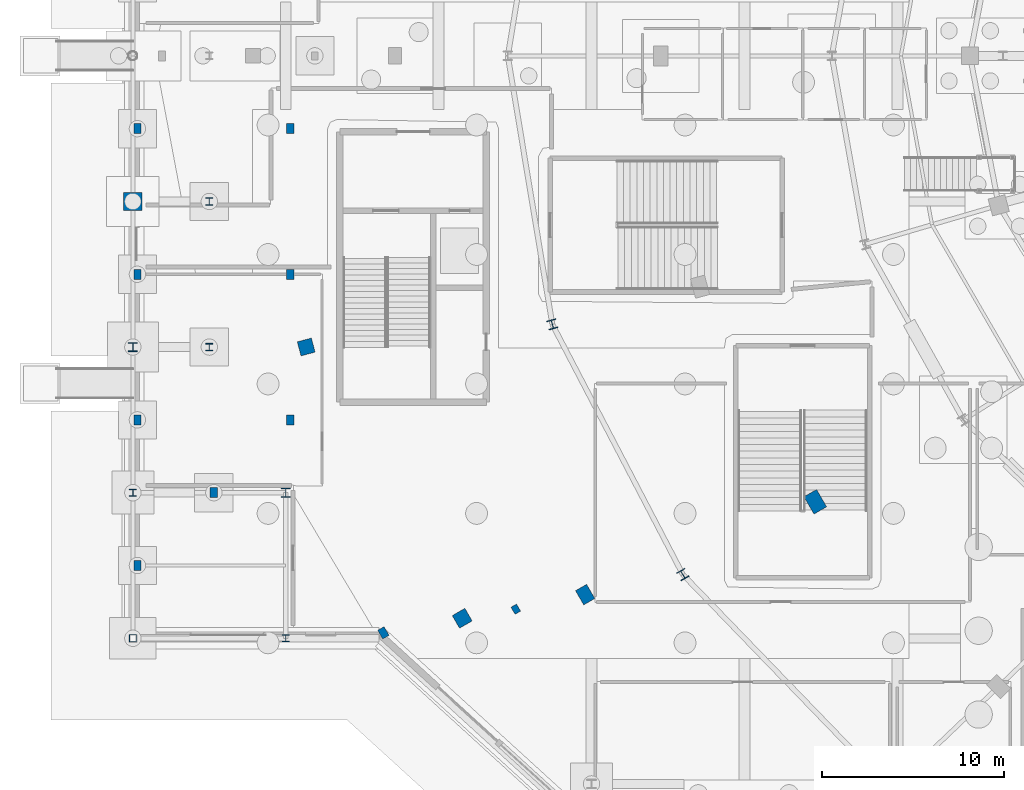
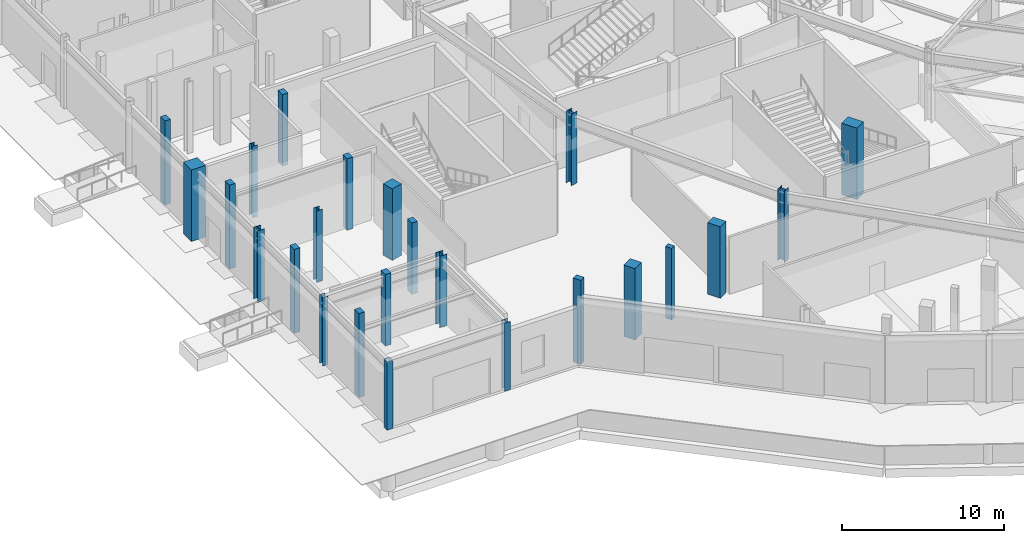
# One storey, part 11 of 93: 24 columns.
"""IFC4 building model written with IfcOpenShell, lengths in metres."""

from ifc_helpers import new_model, si_unit, direction, frame, origin, origin_2d, place, context, subcontext, project, spatial, rectangle, hollow_rectangle, i_section, extrude, material, material_profile, profile_set, type_object, element, save


model = new_model("IFC4")

# Units and contexts
model_context = context("Model", 3, precision=1e-05, world=origin(), true_north=direction((0.0, 1.0)))
body_context = subcontext(model_context, "Body", "Model", "MODEL_VIEW")
ifc_project = project(units=[si_unit("LENGTHUNIT", "METRE"), si_unit("AREAUNIT", "SQUARE_METRE"), si_unit("VOLUMEUNIT", "CUBIC_METRE"), si_unit("PLANEANGLEUNIT", "RADIAN"), si_unit("MASSUNIT", "GRAM", prefix="KILO")], contexts=[model_context])

# Site, building, storey
site_placement = place(None, origin())
site = spatial("IfcSite", under=ifc_project, at=site_placement, CompositionType="ELEMENT")
building_placement = place(site_placement, origin())
building = spatial("IfcBuilding", under=site, at=building_placement, Name="Kalgoora Escarpment Arena", CompositionType="ELEMENT")
storey_placement = place(building_placement, origin())
storey = spatial("IfcBuildingStorey", under=building, at=storey_placement, Name="L00", CompositionType="ELEMENT", Elevation=0.0)

# Columns
ifc_material_1 = material(Name="Structural steel Grade 350 (350 MPa)", Category="steel")
ifc_material_profile_1 = material_profile(ifc_material_1, i_section(OverallWidth=0.39990234375, OverallDepth=0.39990234375, WebThickness=0.01806640625, FlangeThickness=0.031982421875, at=origin_2d()))
ifc_profile_set_1 = profile_set([ifc_material_profile_1], Name="Structural steel Grade 350 (350 MPa)")
column_type_1 = type_object("IfcColumnType", Name="COL-COL-400WC270", PredefinedType="COLUMN", material=ifc_profile_set_1)
for number, where, z_axis, x_axis, name in (
    (1, (0.0, 40.0, 0.0), (0.0, 0.0, 1.0), (1.0, 0.0, 0.0), "L00 structural column COL-G1-F"),
    (2, (8.39990234375, 32.0, 0.0), (0.0, 0.0, 1.0), (1.0, 0.0, 0.0), "L00 structural column COL-G2-E"),
):
    element("IfcColumn", number, at=place(storey_placement, frame(where, z_axis=z_axis, x_axis=x_axis)), inside=storey, type_object=column_type_1, Name=name, PredefinedType="COLUMN", context=body_context, shape_type="SweptSolid", body=[
        extrude(i_section(OverallWidth=0.39990234375, OverallDepth=0.39990234375, WebThickness=0.01806640625, FlangeThickness=0.031982421875, at=origin_2d()), origin(), (0.0, 0.0, 1.0), 5.14990234375),
    ])
for number, where, z_axis, x_axis, name in (
    (3, (4.199951171875, 48.0, 0.0), (0.0, 0.0, 1.0), (1.0, 0.0, 0.0), "L00 structural column COL-CAN-IN-48"),
    (4, (4.199951171875, 56.0, 0.0), (0.0, 0.0, 1.0), (1.0, 0.0, 0.0), "L00 structural column COL-CAN-IN-56"),
):
    element("IfcColumn", number, at=place(storey_placement, frame(where, z_axis=z_axis, x_axis=x_axis)), inside=storey, type_object=column_type_1, Name=name, PredefinedType="COLUMN", context=body_context, shape_type="SweptSolid", body=[
        extrude(i_section(OverallWidth=0.39990234375, OverallDepth=0.39990234375, WebThickness=0.01806640625, FlangeThickness=0.031982421875, at=origin_2d()), origin(), (0.0, 0.0, 1.0), 5.39990234375),
    ])
ifc_material_2 = material(Name="Structural steel C450 (450 MPa)", Category="steel")
ifc_material_profile_2 = material_profile(ifc_material_2, hollow_rectangle(XDim=0.39990234375, YDim=0.39990234375, WallThickness=0.01611328125, at=origin_2d()))
ifc_profile_set_2 = profile_set([ifc_material_profile_2], Name="Structural steel C450 (450 MPa)")
column_type_2 = type_object("IfcColumnType", Name="COL-COL-400x400x16.0SHS", PredefinedType="COLUMN", material=ifc_profile_set_2)
column_1_placement = place(storey_placement, frame((0.0, 32.0, 0.0), z_axis=(0.0, 0.0, 1.0), x_axis=(1.0, 0.0, 0.0)))
element("IfcColumn", 5, at=column_1_placement, inside=storey, type_object=column_type_2, Name="L00 structural column COL-G1-E", PredefinedType="COLUMN", context=body_context, shape_type="SweptSolid", body=[
    extrude(hollow_rectangle(XDim=0.39990234375, YDim=0.39990234375, WallThickness=0.01611328125, at=origin_2d()), origin(), (0.0, 0.0, 1.0), 5.14990234375),
])
ifc_material_3 = material(Name="Structural steel Grade 350 (350 MPa)", Category="steel")
ifc_material_profile_3 = material_profile(ifc_material_3, i_section(OverallWidth=0.5, OverallDepth=0.5, WebThickness=0.02001953125, FlangeThickness=0.034912109375, at=origin_2d()))
ifc_profile_set_3 = profile_set([ifc_material_profile_3], Name="Structural steel Grade 350 (350 MPa)")
column_type_3 = type_object("IfcColumnType", Name="COL-COL-500WC340", PredefinedType="COLUMN", material=ifc_profile_set_3)
for number, where, z_axis, x_axis, name in (
    (6, (23.04638671875, 49.247314453125, 0.0), (0.0, 0.0, 1.0), (-0.965925826289, -0.258819045103, 0.0), "L00 structural column COL-RCONC2-R14"),
    (7, (30.219482421875, 35.5, 0.0), (0.0, 0.0, 1.0), (-0.866025403784, -0.5, 0.0), "L00 structural column COL-RCONC2-R15"),
    (8, (0.0, 48.0, 0.0), (0.0, 0.0, 1.0), (1.0, 0.0, 0.0), "L00 structural column COL-G1-G"),
    (9, (8.39990234375, 40.0, 0.0), (0.0, 0.0, 1.0), (1.0, 0.0, 0.0), "L00 structural column COL-G2-F"),
):
    element("IfcColumn", number, at=place(storey_placement, frame(where, z_axis=z_axis, x_axis=x_axis)), inside=storey, type_object=column_type_3, Name=name, PredefinedType="COLUMN", context=body_context, shape_type="SweptSolid", body=[
        extrude(i_section(OverallWidth=0.5, OverallDepth=0.5, WebThickness=0.02001953125, FlangeThickness=0.034912109375, at=origin_2d()), origin(), (0.0, 0.0, 1.0), 5.39990234375),
    ])
ifc_material_4 = material(Name="Concrete N50 (fc' 50 MPa)", Category="concrete")
ifc_material_profile_4 = material_profile(ifc_material_4, rectangle(XDim=1.0, YDim=1.0, at=origin_2d()))
ifc_profile_set_4 = profile_set([ifc_material_profile_4], Name="Concrete N50 (fc' 50 MPa)")
column_type_4 = type_object("IfcColumnType", Name="COL-COL-RC1000x1000", PredefinedType="COLUMN", material=ifc_profile_set_4)
column_2_placement = place(storey_placement, frame((0.0, 56.0, 0.0), z_axis=(0.0, 0.0, 1.0), x_axis=(1.0, 0.0, 0.0)))
element("IfcColumn", 10, at=column_2_placement, inside=storey, type_object=column_type_4, Name="L00 structural column COL-G1-H", PredefinedType="COLUMN", context=body_context, shape_type="SweptSolid", body=[
    extrude(rectangle(XDim=1.0, YDim=1.0, at=origin_2d()), origin(), (0.0, 0.0, 1.0), 5.39990234375),
])
ifc_material_5 = material(Name="Concrete N50 (fc' 50 MPa)", Category="concrete")
ifc_material_profile_5 = material_profile(ifc_material_5, rectangle(XDim=0.800048828125, YDim=1.10009765625, at=origin_2d()))
ifc_profile_set_5 = profile_set([ifc_material_profile_5], Name="Concrete N50 (fc' 50 MPa)")
column_type_5 = type_object("IfcColumnType", Name="COL-COL-RC1100x800", PredefinedType="COLUMN", material=ifc_profile_set_5)
column_3_placement = place(storey_placement, frame((37.493896484375, 39.5, 0.0), z_axis=(0.0, 0.0, 1.0), x_axis=(-0.866025403784, -0.5, 0.0)))
element("IfcColumn", 11, at=column_3_placement, inside=storey, type_object=column_type_5, Name="L00 structural column COL-RCONC1-R15", PredefinedType="COLUMN", context=body_context, shape_type="SweptSolid", body=[
    extrude(rectangle(XDim=0.800048828125, YDim=1.10009765625, at=origin_2d()), origin(), (0.0, 0.0, 1.0), 5.39990234375),
])
ifc_material_6 = material(Name="Concrete N50 (fc' 50 MPa)", Category="concrete")
ifc_material_profile_6 = material_profile(ifc_material_6, rectangle(XDim=0.800048828125, YDim=0.800048828125, at=origin_2d()))
ifc_profile_set_6 = profile_set([ifc_material_profile_6], Name="Concrete N50 (fc' 50 MPa)")
column_type_6 = type_object("IfcColumnType", Name="COL-COL-RC800x800", PredefinedType="COLUMN", material=ifc_profile_set_6)
for number, where, z_axis, x_axis, name in (
    (12, (9.523681640625, 48.0048828125, 0.0), (0.0, 0.0, 1.0), (-0.965925826289, -0.258819045103, 0.0), "L00 structural column COL-RBASE2-R14"),
    (13, (18.094970703125, 33.10009765625, 0.0), (0.0, 0.0, 1.0), (-0.866025403784, -0.5, 0.0), "L00 structural column COL-RBASE2-R15"),
):
    element("IfcColumn", number, at=place(storey_placement, frame(where, z_axis=z_axis, x_axis=x_axis)), inside=storey, type_object=column_type_6, Name=name, PredefinedType="COLUMN", context=body_context, shape_type="SweptSolid", body=[
        extrude(rectangle(XDim=0.800048828125, YDim=0.800048828125, at=origin_2d()), origin(), (0.0, 0.0, 1.0), 5.39990234375),
    ])
ifc_material_7 = material(Name="Concrete N50 (fc' 50 MPa)", Category="concrete")
ifc_material_profile_7 = material_profile(ifc_material_7, rectangle(XDim=0.699951171875, YDim=0.89990234375, at=origin_2d()))
ifc_profile_set_7 = profile_set([ifc_material_profile_7], Name="Concrete N50 (fc' 50 MPa)")
column_type_7 = type_object("IfcColumnType", Name="COL-COL-RC900x700", PredefinedType="COLUMN", material=ifc_profile_set_7)
column_4_placement = place(storey_placement, frame((24.85009765625, 34.39990234375, 0.0), z_axis=(0.0, 0.0, 1.0), x_axis=(-0.866025403784, -0.5, 0.0)))
element("IfcColumn", 14, at=column_4_placement, inside=storey, type_object=column_type_7, Name="L00 structural column COL-RBASE1-R15", PredefinedType="COLUMN", context=body_context, shape_type="SweptSolid", body=[
    extrude(rectangle(XDim=0.699951171875, YDim=0.89990234375, at=origin_2d()), origin(), (0.0, 0.0, 1.0), 5.39990234375),
])
ifc_material_8 = material(Name="Precast concrete N50 (fc' 50 MPa)", Category="concrete")
ifc_material_profile_8 = material_profile(ifc_material_8, rectangle(XDim=0.35009765625, YDim=0.449951171875, at=origin_2d()))
ifc_profile_set_8 = profile_set([ifc_material_profile_8], Name="Precast concrete N50 (fc' 50 MPa)")
column_type_8 = type_object("IfcColumnType", Name="COL-PIL-PC-PILASTER-450x350", PredefinedType="PILASTER", material=ifc_profile_set_8)
column_5_placement = place(storey_placement, frame((21.0400390625, 33.60009765625, 0.0), z_axis=(0.0, 0.0, 1.0), x_axis=(-0.866025403784, -0.5, 0.0)))
element("IfcColumn", 15, at=column_5_placement, inside=storey, type_object=column_type_8, Name="L00 fluted pilaster PIL-060", PredefinedType="PILASTER", context=body_context, shape_type="SweptSolid", body=[
    extrude(rectangle(XDim=0.35009765625, YDim=0.449951171875, at=origin_2d()), origin(), (0.0, 0.0, 1.0), 5.39990234375),
])
ifc_material_9 = material(Name="Precast concrete N50 (fc' 50 MPa)", Category="concrete")
ifc_material_profile_9 = material_profile(ifc_material_9, rectangle(XDim=0.39990234375, YDim=0.550048828125, at=origin_2d()))
ifc_profile_set_9 = profile_set([ifc_material_profile_9], Name="Precast concrete N50 (fc' 50 MPa)")
column_type_9 = type_object("IfcColumnType", Name="COL-PIL-PC-PILASTER-550x400", PredefinedType="PILASTER", material=ifc_profile_set_9)
for number, where, z_axis, x_axis, name in (
    (16, (0.25, 36.0, 0.0), (0.0, 0.0, 1.0), (1.0, 0.0, 0.0), "L00 fluted pilaster PIL-001"),
    (17, (0.25, 44.0, 0.0), (0.0, 0.0, 1.0), (1.0, 0.0, 0.0), "L00 fluted pilaster PIL-002"),
    (18, (0.25, 52.0, 0.0), (0.0, 0.0, 1.0), (1.0, 0.0, 0.0), "L00 fluted pilaster PIL-003"),
    (19, (0.25, 60.0, 0.0), (0.0, 0.0, 1.0), (1.0, 0.0, 0.0), "L00 fluted pilaster PIL-004"),
):
    element("IfcColumn", number, at=place(storey_placement, frame(where, z_axis=z_axis, x_axis=x_axis)), inside=storey, type_object=column_type_9, Name=name, PredefinedType="PILASTER", context=body_context, shape_type="SweptSolid", body=[
        extrude(rectangle(XDim=0.39990234375, YDim=0.550048828125, at=origin_2d()), origin(), (0.0, 0.0, 1.0), 6.35009765625),
    ])
for number, where, z_axis, x_axis, name in (
    (20, (4.449951171875, 40.0, 0.0), (0.0, 0.0, 1.0), (1.0, 0.0, 0.0), "L00 fluted pilaster PIL-009"),
    (21, (8.64990234375, 44.0, 0.0), (0.0, 0.0, 1.0), (1.0, 0.0, 0.0), "L00 fluted pilaster PIL-016"),
    (22, (8.64990234375, 52.0, 0.0), (0.0, 0.0, 1.0), (1.0, 0.0, 0.0), "L00 fluted pilaster PIL-017"),
    (23, (8.64990234375, 60.0, 0.0), (0.0, 0.0, 1.0), (1.0, 0.0, 0.0), "L00 fluted pilaster PIL-018"),
):
    element("IfcColumn", number, at=place(storey_placement, frame(where, z_axis=z_axis, x_axis=x_axis)), inside=storey, type_object=column_type_9, Name=name, PredefinedType="PILASTER", context=body_context, shape_type="SweptSolid", body=[
        extrude(rectangle(XDim=0.39990234375, YDim=0.550048828125, at=origin_2d()), origin(), (0.0, 0.0, 1.0), 5.39990234375),
    ])
column_6_placement = place(storey_placement, frame((13.764892578125, 32.300048828125, 0.0), z_axis=(0.0, 0.0, 1.0), x_axis=(-0.866025403784, -0.5, 0.0)))
element("IfcColumn", 24, at=column_6_placement, inside=storey, type_object=column_type_9, Name="L00 fluted pilaster PIL-036", PredefinedType="PILASTER", context=body_context, shape_type="SweptSolid", body=[
    extrude(rectangle(XDim=0.39990234375, YDim=0.550048828125, at=origin_2d()), origin(), (0.0, 0.0, 1.0), 6.35009765625),
])

save(model, "model.ifc")
